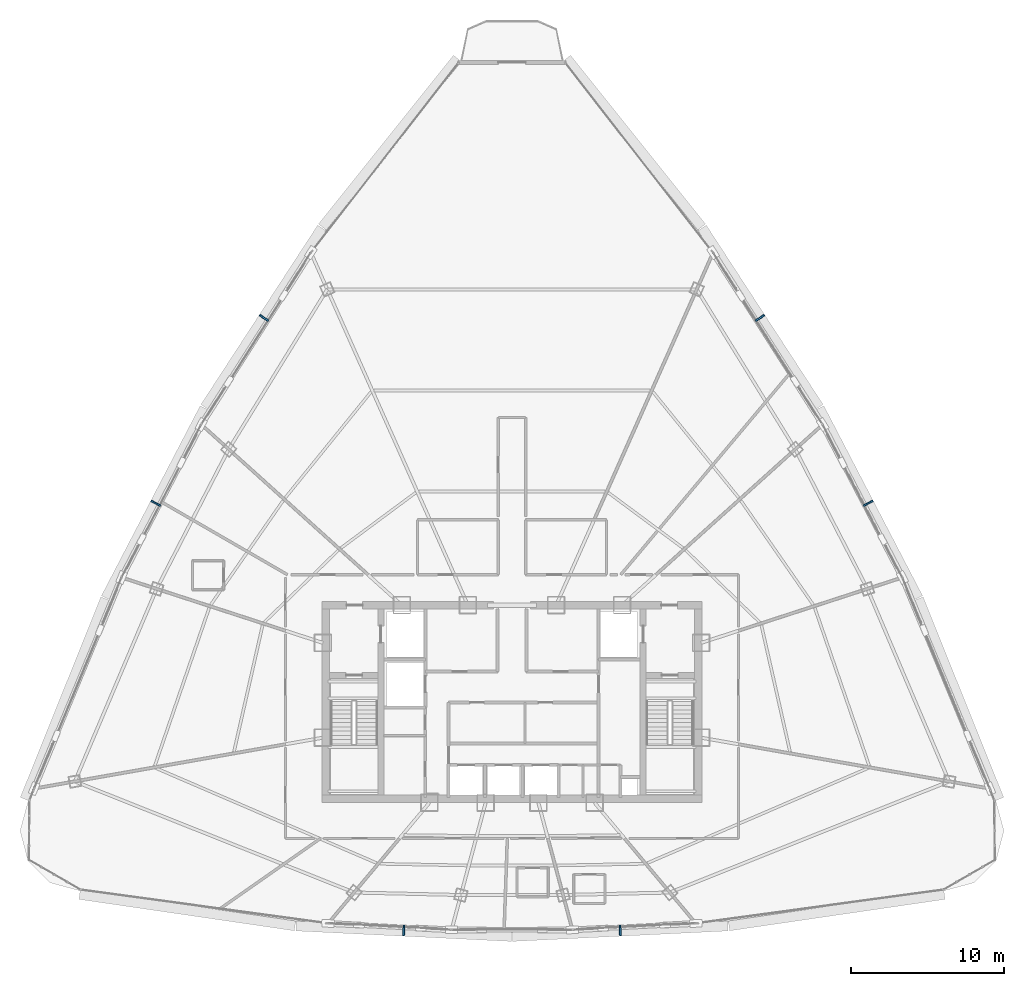
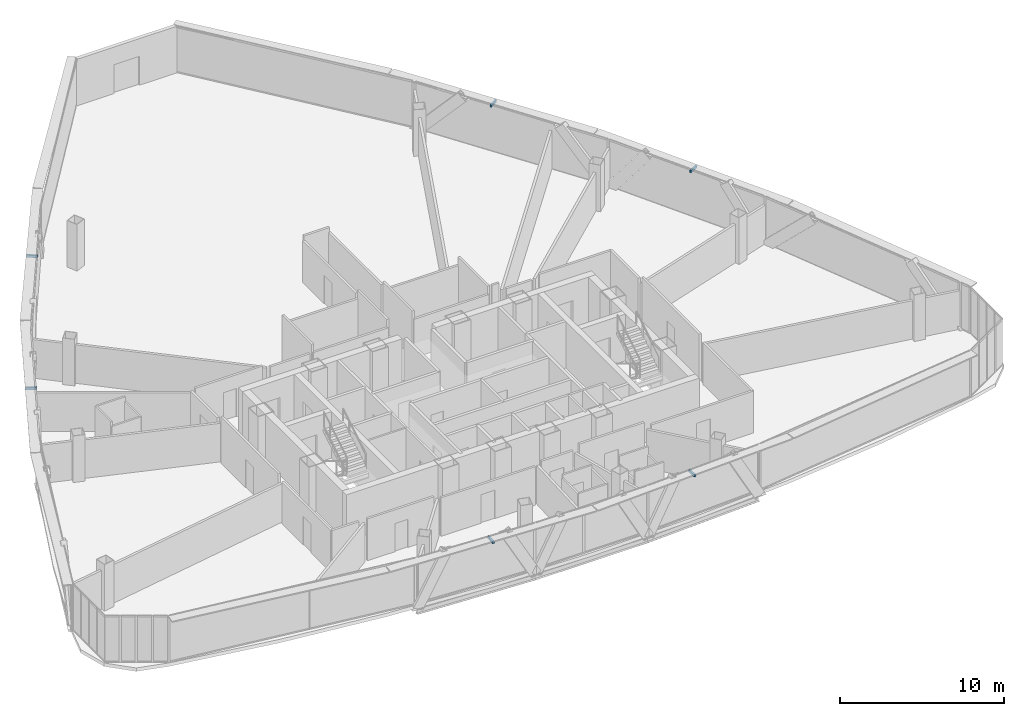
# One storey, part 37 of 40: 6 discrete accessories.
"""IFC4 building model written with IfcOpenShell, lengths in metres."""

from ifc_helpers import new_model, si_unit, direction, frame, origin, origin_2d, place, context, subcontext, project, spatial, rectangle, extrude, source, transform, mapped, material, type_object, element, save


model = new_model("IFC4")

# Units and contexts
model_context = context("Model", 3, precision=1e-05, world=origin(), true_north=direction((0.0, 1.0)))
body_context = subcontext(model_context, "Body", "Model", "MODEL_VIEW")
ifc_project = project(units=[si_unit("LENGTHUNIT", "METRE"), si_unit("AREAUNIT", "SQUARE_METRE"), si_unit("VOLUMEUNIT", "CUBIC_METRE"), si_unit("PLANEANGLEUNIT", "RADIAN"), si_unit("MASSUNIT", "GRAM", prefix="KILO"), si_unit("THERMODYNAMICTEMPERATUREUNIT", "KELVIN"), si_unit("POWERUNIT", "WATT")], contexts=[model_context])

# Site, building, storey
site_placement = place(None, origin())
site = spatial("IfcSite", under=ifc_project, at=site_placement, CompositionType="ELEMENT")
building_placement = place(site_placement, origin())
building = spatial("IfcBuilding", under=site, at=building_placement, Name="Yunzhuo Pagoda Commons", CompositionType="ELEMENT")
storey_placement = place(building_placement, frame((0.0, 0.0, 288.75)))
storey = spatial("IfcBuildingStorey", under=building, at=storey_placement, Name="L72", CompositionType="ELEMENT", Elevation=288.75)

# Discrete accessories
ifc_material = material(Name="Anodized aluminium 6063-T6", Category="aluminium")
discrete_accessory_type = type_object("IfcDiscreteAccessoryType", Name="BK-SUN1 Sunshade Outrigger Bracket", PredefinedType="BRACKET", material=ifc_material)
shared_shape = source(origin(), body_context, "Body", "SweptSolid", [
    extrude(rectangle(XDim=0.1201171875, YDim=0.679931640625, at=origin_2d()), origin(), (0.0, 0.0, 1.0), 0.179931640625),
])
for number, where, z_axis, x_axis, name in (
    (1, (40.9052734375, 18.862060546875, 3.26025390625), (0.0, 0.0, 1.0), (0.998818043775, -0.04860571396, 0.0), "L72 sunshade outrigger bracket F1.2"),
    (2, (55.0947265625, 18.862060546875, 3.26025390625), (0.0, 0.0, 1.0), (0.998818043775, 0.04860571396, 0.0), "L72 sunshade outrigger bracket F1.3"),
    (3, (71.359375, 46.885498046875, 3.26025390625), (0.0, 0.0, 1.0), (-0.461206683033, 0.88729273384, 0.0), "L72 sunshade outrigger bracket F2.2"),
    (4, (64.264404296875, 59.0400390625, 3.26025390625), (0.0, 0.0, 1.0), (-0.545853380833, 0.837880711458, 0.0), "L72 sunshade outrigger bracket F2.3"),
    (5, (31.735595703125, 59.0400390625, 3.26025390625), (0.0, 0.0, 1.0), (-0.545853380833, -0.837880711458, 0.0), "L72 sunshade outrigger bracket F3.2"),
    (6, (24.640625, 46.885498046875, 3.26025390625), (0.0, 0.0, 1.0), (-0.461206683033, -0.88729273384, 0.0), "L72 sunshade outrigger bracket F3.3"),
):
    element("IfcDiscreteAccessory", number, at=place(storey_placement, frame(where, z_axis=z_axis, x_axis=x_axis)), inside=storey, type_object=discrete_accessory_type, Name=name, PredefinedType="BRACKET", context=body_context, shape_type="MappedRepresentation", body=[
        mapped(shared_shape, transform((0.0, 0.0, 0.0), scale=1.0)),
    ])

save(model, "model.ifc")
